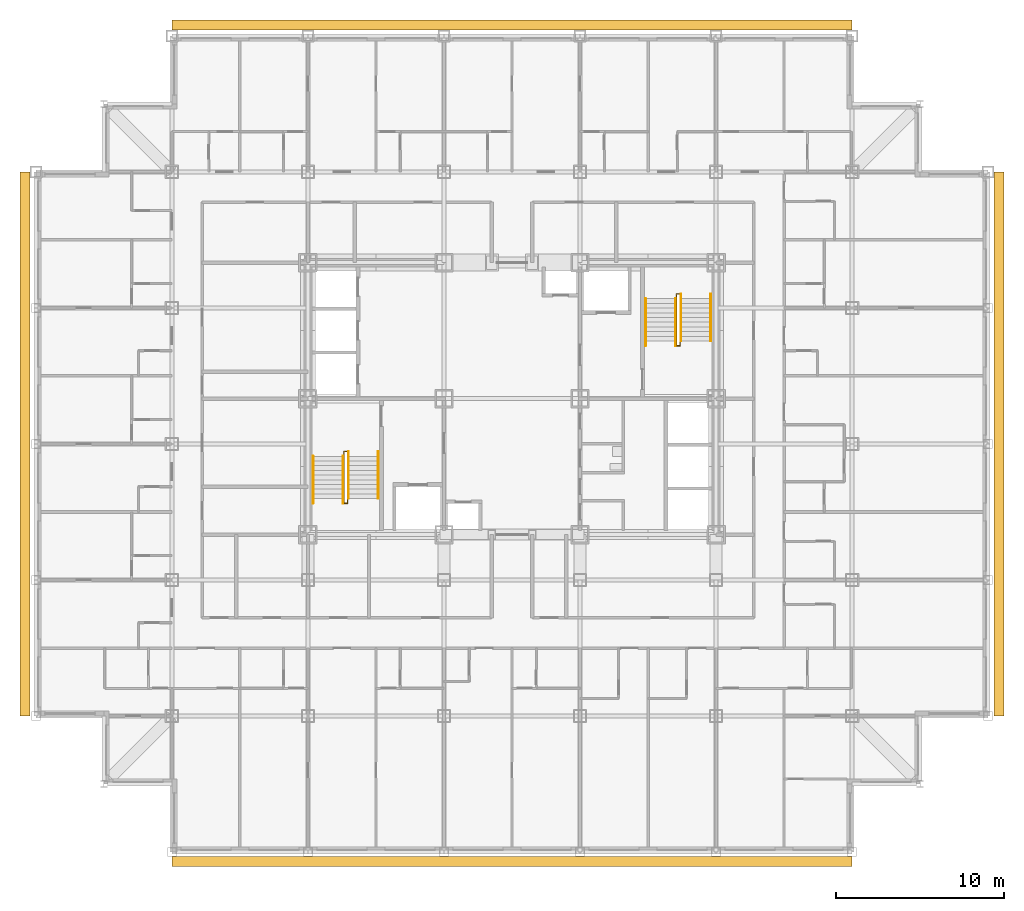
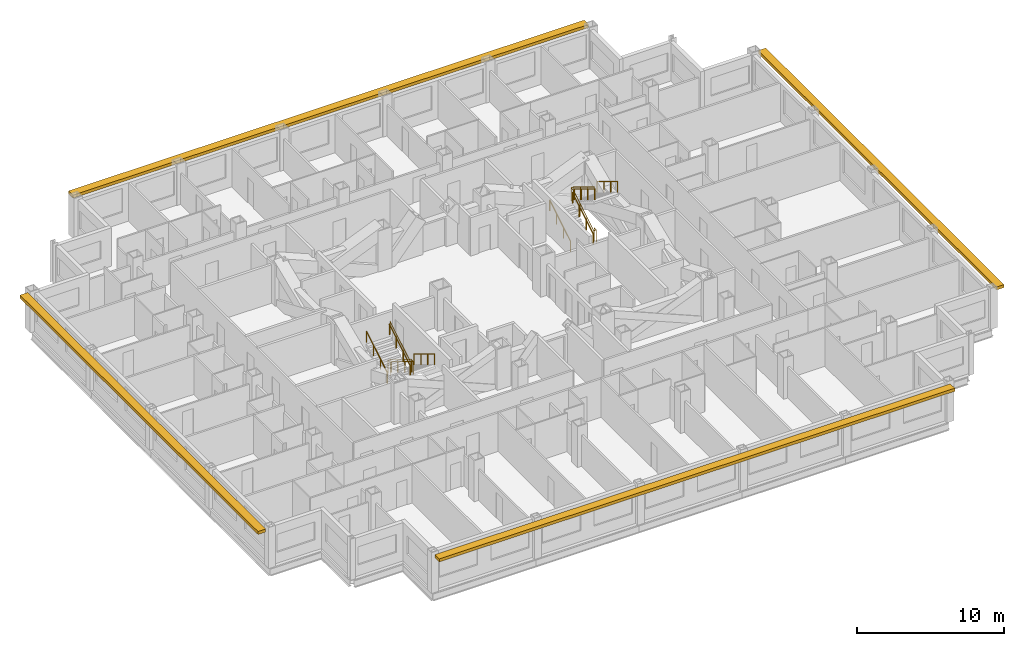
# One storey, part 14 of 15: 10 railings, 4 shading devices.
"""IFC4 building model written with IfcOpenShell, lengths in metres."""

from ifc_helpers import new_model, si_unit, direction, frame, origin, origin_2d, place, context, subcontext, project, spatial, rectangle, circle, extrude, material, type_object, element, save


model = new_model("IFC4")

# Units and contexts
model_context = context("Model", 3, precision=1e-05, world=origin(), true_north=direction((0.0, 1.0)))
body_context = subcontext(model_context, "Body", "Model", "MODEL_VIEW")
ifc_project = project(units=[si_unit("LENGTHUNIT", "METRE"), si_unit("AREAUNIT", "SQUARE_METRE"), si_unit("VOLUMEUNIT", "CUBIC_METRE"), si_unit("PLANEANGLEUNIT", "RADIAN"), si_unit("MASSUNIT", "GRAM", prefix="KILO")], contexts=[model_context])

# Site, building, storey
site_placement = place(None, origin())
site = spatial("IfcSite", under=ifc_project, at=site_placement, CompositionType="ELEMENT")
building_placement = place(site_placement, origin())
building = spatial("IfcBuilding", under=site, at=building_placement, Name="Kopane Lantern Tower", CompositionType="ELEMENT")
storey_placement = place(building_placement, frame((0.0, 0.0, 140.800048828125)))
storey = spatial("IfcBuildingStorey", under=building, at=storey_placement, Name="L36", CompositionType="ELEMENT", Elevation=140.800048828125)

# Railings
ifc_material_1 = material(Name="Steel", Category="steel")
railing_type_1 = type_object("IfcRailingType", Name="STAIR GUARD 1100", PredefinedType="GUARDRAIL", material=ifc_material_1)
railing_1_placement = place(storey_placement, frame((18.35009765625, 28.969970703125, 0.0)))
element("IfcRailing", 1, at=railing_1_placement, inside=storey, type_object=railing_type_1, Name="ST1 well guard L36", PredefinedType="GUARDRAIL", context=body_context, shape_type="SweptSolid", body=[
    extrude(circle(Radius=0.02392578125, at=origin_2d()), frame((0.0, 0.0, 1.076171875), z_axis=(0.0, 1.0, 0.0), x_axis=(-1.0, 0.0, 0.0)), (0.0, 0.0, 1.0), 0.280029296875),
    extrude(circle(Radius=0.02392578125, at=origin_2d()), frame((0.0, 0.280029296875, 1.076171875), z_axis=(1.0, 0.0, 0.0), x_axis=(0.0, 1.0, 0.0)), (0.0, 0.0, 1.0), 0.199951171875),
    extrude(circle(Radius=0.02392578125, at=origin_2d()), frame((0.199951171875, 0.280029296875, 1.076171875), z_axis=(0.0, -0.854798142509, 0.518960630071), x_axis=(1.0, 0.0, 0.0)), (0.0, 0.0, 1.0), 3.275634765625),
    extrude(circle(Radius=0.02392578125, at=origin_2d()), frame((0.199951171875, -2.52001953125, 2.77587890625), z_axis=(0.0, -1.0, 0.0), x_axis=(1.0, 0.0, 0.0)), (0.0, 0.0, 1.0), 0.280029296875),
    extrude(circle(Radius=0.02392578125, at=origin_2d()), frame((0.199951171875, -2.800048828125, 2.77587890625), z_axis=(-1.0, 0.0, 0.0), x_axis=(0.0, -1.0, 0.0)), (0.0, 0.0, 1.0), 0.199951171875),
    extrude(circle(Radius=0.02392578125, at=origin_2d()), frame((0.0, -2.800048828125, 2.77587890625), z_axis=(0.0, 0.854798142509, 0.518960630071), x_axis=(-1.0, 0.0, 0.0)), (0.0, 0.0, 1.0), 3.275634765625),
    extrude(circle(Radius=0.02099609375, at=origin_2d()), origin(), (0.0, 0.0, 1.0), 1.052001953125),
    extrude(circle(Radius=0.02099609375, at=origin_2d()), frame((0.0, 0.280029296875, 0.0)), (0.0, 0.0, 1.0), 1.052001953125),
    extrude(circle(Radius=0.02099609375, at=origin_2d()), frame((0.199951171875, 0.280029296875, 0.0)), (0.0, 0.0, 1.0), 1.052001953125),
    extrude(circle(Radius=0.02099609375, at=origin_2d()), frame((0.199951171875, -0.6533203125, 0.566650390625)), (0.0, 0.0, 1.0), 1.052001953125),
    extrude(circle(Radius=0.02099609375, at=origin_2d()), frame((0.199951171875, -1.586669921875, 1.13330078125)), (0.0, 0.0, 1.0), 1.052001953125),
    extrude(circle(Radius=0.02099609375, at=origin_2d()), frame((0.199951171875, -2.52001953125, 1.699951171875)), (0.0, 0.0, 1.0), 1.052001953125),
    extrude(circle(Radius=0.02099609375, at=origin_2d()), frame((0.199951171875, -2.800048828125, 1.699951171875)), (0.0, 0.0, 1.0), 1.052001953125),
    extrude(circle(Radius=0.02099609375, at=origin_2d()), frame((0.0, -2.800048828125, 1.699951171875)), (0.0, 0.0, 1.0), 1.052001953125),
    extrude(circle(Radius=0.02099609375, at=origin_2d()), frame((0.0, -1.86669921875, 2.2666015625)), (0.0, 0.0, 1.0), 1.052001953125),
    extrude(circle(Radius=0.02099609375, at=origin_2d()), frame((0.0, -0.933349609375, 2.833251953125)), (0.0, 0.0, 1.0), 1.052001953125),
    extrude(circle(Radius=0.02099609375, at=origin_2d()), frame((0.0, 0.0, 3.39990234375)), (0.0, 0.0, 1.0), 1.052001953125),
])
railing_2_placement = place(storey_placement, frame((38.35009765625, 35.830078125, 0.0)))
element("IfcRailing", 2, at=railing_2_placement, inside=storey, type_object=railing_type_1, Name="ST2 well guard L36", PredefinedType="GUARDRAIL", context=body_context, shape_type="SweptSolid", body=[
    extrude(circle(Radius=0.02392578125, at=origin_2d()), frame((0.0, 0.0, 1.076171875), z_axis=(0.0, -1.0, 0.0), x_axis=(1.0, 0.0, 0.0)), (0.0, 0.0, 1.0), 0.280029296875),
    extrude(circle(Radius=0.02392578125, at=origin_2d()), frame((0.0, -0.280029296875, 1.076171875), z_axis=(-1.0, 0.0, 0.0), x_axis=(0.0, -1.0, 0.0)), (0.0, 0.0, 1.0), 0.2001953125),
    extrude(circle(Radius=0.02392578125, at=origin_2d()), frame((-0.2001953125, -0.280029296875, 1.076171875), z_axis=(0.0, 0.854798142509, 0.518960630071), x_axis=(-1.0, 0.0, 0.0)), (0.0, 0.0, 1.0), 3.275634765625),
    extrude(circle(Radius=0.02392578125, at=origin_2d()), frame((-0.2001953125, 2.52001953125, 2.77587890625), z_axis=(0.0, 1.0, 0.0), x_axis=(-1.0, 0.0, 0.0)), (0.0, 0.0, 1.0), 0.27978515625),
    extrude(circle(Radius=0.02392578125, at=origin_2d()), frame((-0.2001953125, 2.7998046875, 2.77587890625), z_axis=(1.0, 0.0, 0.0), x_axis=(0.0, 1.0, 0.0)), (0.0, 0.0, 1.0), 0.2001953125),
    extrude(circle(Radius=0.02392578125, at=origin_2d()), frame((0.0, 2.7998046875, 2.77587890625), z_axis=(0.0, -0.854778067842, 0.518993694313), x_axis=(1.0, 0.0, 0.0)), (0.0, 0.0, 1.0), 3.275390625),
    extrude(circle(Radius=0.02099609375, at=origin_2d()), origin(), (0.0, 0.0, 1.0), 1.052001953125),
    extrude(circle(Radius=0.02099609375, at=origin_2d()), frame((0.0, -0.280029296875, 0.0)), (0.0, 0.0, 1.0), 1.052001953125),
    extrude(circle(Radius=0.02099609375, at=origin_2d()), frame((-0.2001953125, -0.280029296875, 0.0)), (0.0, 0.0, 1.0), 1.052001953125),
    extrude(circle(Radius=0.02099609375, at=origin_2d()), frame((-0.2001953125, 0.6533203125, 0.566650390625)), (0.0, 0.0, 1.0), 1.052001953125),
    extrude(circle(Radius=0.02099609375, at=origin_2d()), frame((-0.2001953125, 1.586669921875, 1.13330078125)), (0.0, 0.0, 1.0), 1.052001953125),
    extrude(circle(Radius=0.02099609375, at=origin_2d()), frame((-0.2001953125, 2.52001953125, 1.699951171875)), (0.0, 0.0, 1.0), 1.052001953125),
    extrude(circle(Radius=0.02099609375, at=origin_2d()), frame((-0.2001953125, 2.7998046875, 1.699951171875)), (0.0, 0.0, 1.0), 1.052001953125),
    extrude(circle(Radius=0.02099609375, at=origin_2d()), frame((0.0, 2.7998046875, 1.699951171875)), (0.0, 0.0, 1.0), 1.052001953125),
    extrude(circle(Radius=0.02099609375, at=origin_2d()), frame((0.0, 1.866455078125, 2.2666015625)), (0.0, 0.0, 1.0), 1.052001953125),
    extrude(circle(Radius=0.02099609375, at=origin_2d()), frame((0.0, 0.933349609375, 2.833251953125)), (0.0, 0.0, 1.0), 1.052001953125),
    extrude(circle(Radius=0.02099609375, at=origin_2d()), frame((0.0, 0.0, 3.39990234375)), (0.0, 0.0, 1.0), 1.052001953125),
])
ifc_material_2 = material(Name="Steel", Category="steel")
railing_type_2 = type_object("IfcRailingType", Name="STAIR HANDRAIL 900", PredefinedType="HANDRAIL", material=ifc_material_2)
for number, where, name in (
    (3, (20.389892578125, 29.25, 0.0), "ST1 handrail L36 flight 1"),
    (4, (18.610107421875, 29.25, 0.0), "ST1 handrail L36 flight 1"),
):
    element("IfcRailing", number, at=place(storey_placement, frame(where)), inside=storey, type_object=railing_type_2, Name=name, PredefinedType="HANDRAIL", context=body_context, shape_type="SweptSolid", body=[
        extrude(circle(Radius=0.02392578125, at=origin_2d()), frame((0.0, 0.0, 0.8759765625), z_axis=(0.0, -0.854798142509, 0.518960630071), x_axis=(1.0, 0.0, 0.0)), (0.0, 0.0, 1.0), 3.275634765625),
        extrude(circle(Radius=0.02099609375, at=origin_2d()), origin(), (0.0, 0.0, 1.0), 0.851806640625),
        extrude(circle(Radius=0.02099609375, at=origin_2d()), frame((0.0, -0.933349609375, 0.566650390625)), (0.0, 0.0, 1.0), 0.851806640625),
        extrude(circle(Radius=0.02099609375, at=origin_2d()), frame((0.0, -1.86669921875, 1.13330078125)), (0.0, 0.0, 1.0), 0.851806640625),
        extrude(circle(Radius=0.02099609375, at=origin_2d()), frame((0.0, -2.800048828125, 1.699951171875)), (0.0, 0.0, 1.0), 0.851806640625),
    ])
for number, where, name in (
    (5, (16.510009765625, 26.169921875, 1.699951171875), "ST1 handrail L36 flight 2"),
    (6, (18.2900390625, 26.169921875, 1.699951171875), "ST1 handrail L36 flight 2"),
    (7, (36.31005859375, 35.550048828125, 0.0), "ST2 handrail L36 flight 1"),
    (8, (38.090087890625, 35.550048828125, 0.0), "ST2 handrail L36 flight 1"),
):
    element("IfcRailing", number, at=place(storey_placement, frame(where)), inside=storey, type_object=railing_type_2, Name=name, PredefinedType="HANDRAIL", context=body_context, shape_type="SweptSolid", body=[
        extrude(circle(Radius=0.02392578125, at=origin_2d()), frame((0.0, 0.0, 0.8759765625), z_axis=(0.0, 0.854798142509, 0.518960630071), x_axis=(-1.0, 0.0, 0.0)), (0.0, 0.0, 1.0), 3.275634765625),
        extrude(circle(Radius=0.02099609375, at=origin_2d()), origin(), (0.0, 0.0, 1.0), 0.851806640625),
        extrude(circle(Radius=0.02099609375, at=origin_2d()), frame((0.0, 0.933349609375, 0.566650390625)), (0.0, 0.0, 1.0), 0.851806640625),
        extrude(circle(Radius=0.02099609375, at=origin_2d()), frame((0.0, 1.86669921875, 1.13330078125)), (0.0, 0.0, 1.0), 0.851806640625),
        extrude(circle(Radius=0.02099609375, at=origin_2d()), frame((0.0, 2.800048828125, 1.699951171875)), (0.0, 0.0, 1.0), 0.851806640625),
    ])
for number, where, name in (
    (9, (40.18994140625, 38.6298828125, 1.699951171875), "ST2 handrail L36 flight 2"),
    (10, (38.409912109375, 38.6298828125, 1.699951171875), "ST2 handrail L36 flight 2"),
):
    element("IfcRailing", number, at=place(storey_placement, frame(where)), inside=storey, type_object=railing_type_2, Name=name, PredefinedType="HANDRAIL", context=body_context, shape_type="SweptSolid", body=[
        extrude(circle(Radius=0.02392578125, at=origin_2d()), frame((0.0, 0.0, 0.8759765625), z_axis=(0.0, -0.854778067842, 0.518993694313), x_axis=(1.0, 0.0, 0.0)), (0.0, 0.0, 1.0), 3.275390625),
        extrude(circle(Radius=0.02099609375, at=origin_2d()), origin(), (0.0, 0.0, 1.0), 0.851806640625),
        extrude(circle(Radius=0.02099609375, at=origin_2d()), frame((0.0, -0.933349609375, 0.566650390625)), (0.0, 0.0, 1.0), 0.851806640625),
        extrude(circle(Radius=0.02099609375, at=origin_2d()), frame((0.0, -1.866455078125, 1.13330078125)), (0.0, 0.0, 1.0), 0.851806640625),
        extrude(circle(Radius=0.02099609375, at=origin_2d()), frame((0.0, -2.7998046875, 1.699951171875)), (0.0, 0.0, 1.0), 0.851806640625),
    ])

# Shading devices
ifc_material_3 = material(Name="Terracotta rainscreen on light steel framing", Category="masonry")
shading_device_type = type_object("IfcShadingDeviceType", Name="SUNSHADE BAND SB1 600 TERRACOTTA", PredefinedType="USERDEFINED", material=ifc_material_3)
shading_device_1_placement = place(storey_placement, frame((28.35009765625, 4.824951171875, 2.89990234375), z_axis=(0.0, 0.0, 1.0), x_axis=(1.0, 0.0, 0.0)))
element("IfcShadingDevice", 11, at=shading_device_1_placement, inside=storey, type_object=shading_device_type, Name="Sunshade band S L36", ObjectType="SUNSHADE BAND", PredefinedType="USERDEFINED", context=body_context, shape_type="SweptSolid", body=[
    extrude(rectangle(XDim=40.5, YDim=0.60009765625, at=origin_2d()), origin(), (0.0, 0.0, 1.0), 0.25),
])
shading_device_2_placement = place(storey_placement, frame((57.35009765625, 29.699951171875, 2.89990234375), z_axis=(0.0, 0.0, 1.0), x_axis=(0.0, 1.0, 0.0)))
element("IfcShadingDevice", 12, at=shading_device_2_placement, inside=storey, type_object=shading_device_type, Name="Sunshade band E L36", ObjectType="SUNSHADE BAND", PredefinedType="USERDEFINED", context=body_context, shape_type="SweptSolid", body=[
    extrude(rectangle(XDim=32.39990234375, YDim=0.60009765625, at=origin_2d()), origin(), (0.0, 0.0, 1.0), 0.25),
])
shading_device_3_placement = place(storey_placement, frame((28.35009765625, 54.64990234375, 2.89990234375), z_axis=(0.0, 0.0, 1.0), x_axis=(-1.0, 0.0, 0.0)))
element("IfcShadingDevice", 13, at=shading_device_3_placement, inside=storey, type_object=shading_device_type, Name="Sunshade band N L36", ObjectType="SUNSHADE BAND", PredefinedType="USERDEFINED", context=body_context, shape_type="SweptSolid", body=[
    extrude(rectangle(XDim=40.5, YDim=0.60009765625, at=origin_2d()), origin(), (0.0, 0.0, 1.0), 0.25),
])
shading_device_4_placement = place(storey_placement, frame((-0.64990234375, 29.699951171875, 2.89990234375), z_axis=(0.0, 0.0, 1.0), x_axis=(0.0, -1.0, 0.0)))
element("IfcShadingDevice", 14, at=shading_device_4_placement, inside=storey, type_object=shading_device_type, Name="Sunshade band W L36", ObjectType="SUNSHADE BAND", PredefinedType="USERDEFINED", context=body_context, shape_type="SweptSolid", body=[
    extrude(rectangle(XDim=32.39990234375, YDim=0.60009765625, at=origin_2d()), origin(), (0.0, 0.0, 1.0), 0.25),
])

save(model, "model.ifc")
